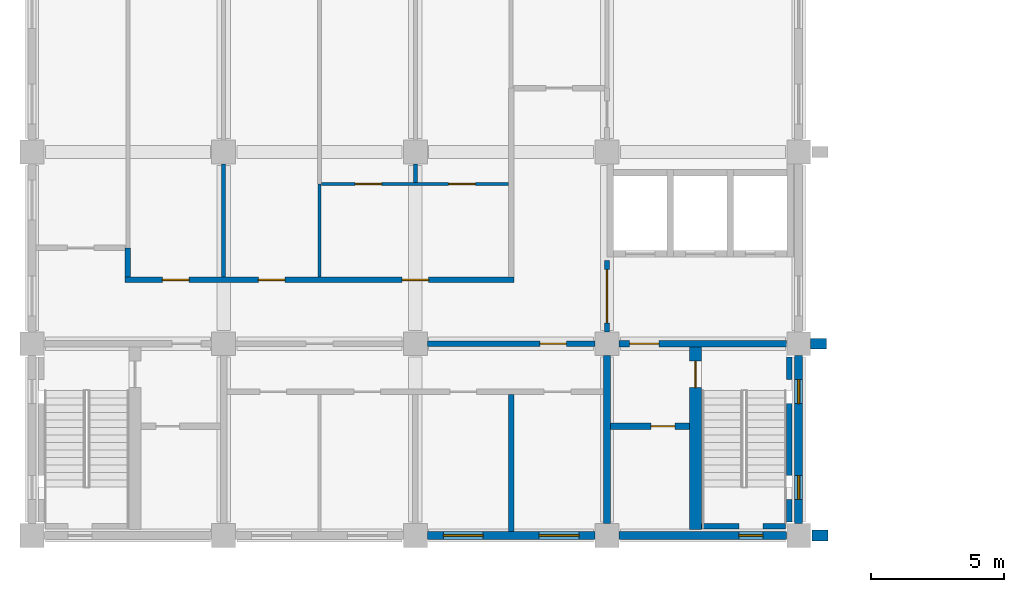
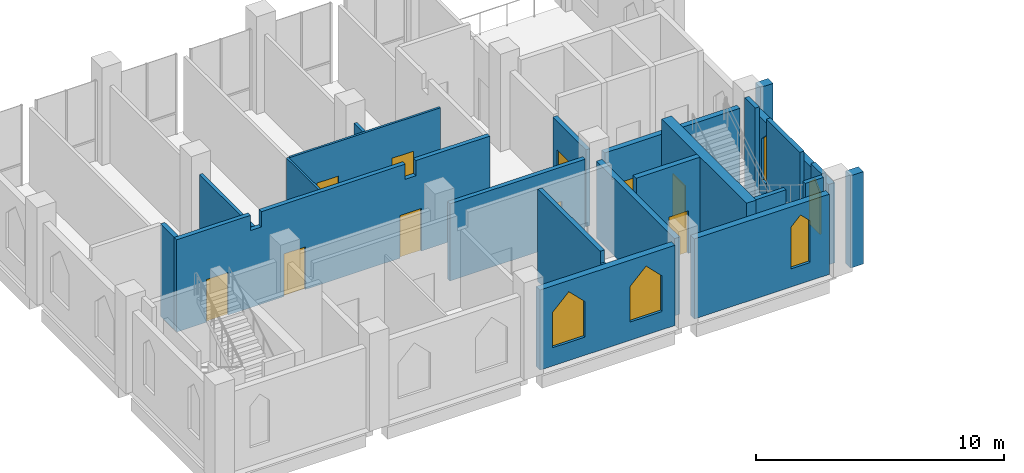
# One storey, part 28 of 40: 23 walls, 10 doors, 5 windows, 15 openings.
"""IFC4 building model written with IfcOpenShell, lengths in metres."""

from ifc_helpers import new_model, si_unit, direction, frame, frame_2d, origin, place, context, subcontext, project, spatial, polyline, rectangle, outline, extrude, material, layer, layer_set, type_object, element, fill, save


model = new_model("IFC4")

# Units and contexts
model_context = context("Model", 3, precision=1e-05, world=origin(), true_north=direction((0.0, 1.0)))
body_context = subcontext(model_context, "Body", "Model", "MODEL_VIEW")
ifc_project = project(units=[si_unit("LENGTHUNIT", "METRE"), si_unit("AREAUNIT", "SQUARE_METRE"), si_unit("VOLUMEUNIT", "CUBIC_METRE"), si_unit("PLANEANGLEUNIT", "RADIAN"), si_unit("MASSUNIT", "GRAM", prefix="KILO")], contexts=[model_context])

# Site, building, storey
site_placement = place(None, origin())
site = spatial("IfcSite", under=ifc_project, at=site_placement, CompositionType="ELEMENT")
building_placement = place(site_placement, origin())
building = spatial("IfcBuilding", under=site, at=building_placement, Name="Silangan Lancet Faculty of Sciences", CompositionType="ELEMENT")
storey_placement = place(building_placement, frame((0.0, 0.0, 16.800048828125)))
storey = spatial("IfcBuildingStorey", under=building, at=storey_placement, Name="L03", CompositionType="ELEMENT", Elevation=16.800048828125)

# Wall, openings, windows
ifc_material_1 = material(Name="Concrete C40/50 precast", Category="concrete")
ifc_layer_1 = layer(ifc_material_1, 0.300048828125)
ifc_layer_set_1 = layer_set([ifc_layer_1], Name="Concrete C40/50 precast")
wall_type_1 = type_object("IfcWallType", Name="EW1 Precast cladding wall", PredefinedType="STANDARD", material=ifc_layer_set_1)
wall_1_placement = place(storey_placement, frame((14.85009765625, 0.0, 0.0), z_axis=(0.0, 0.0, 1.0), x_axis=(1.0, 0.0, 0.0)))
wall_1 = element("IfcWall", 1, at=wall_1_placement, inside=storey, type_object=wall_type_1, Name="EW-L03-S-ST-02", PredefinedType="STANDARD", context=body_context, shape_type="SweptSolid", body=[
    extrude(rectangle(XDim=6.2998046875, YDim=0.300048828125, at=frame_2d((3.14990234375, 0.0))), origin(), (0.0, 0.0, 1.0), 3.949951171875),
])
opening_1_placement = place(wall_1_placement, frame((0.60009765625, 0.0, 0.89990234375)))
opening_1 = element("IfcOpeningElement", 2, at=opening_1_placement, cuts=wall_1, Name="Opening W12", PredefinedType="OPENING", context=body_context, shape_type="SweptSolid", body=[
    extrude(outline(polyline([(0.0, 0.0), (1.5, 0.0), (1.5, 1.75), (0.75, 2.5), (0.0, 1.75), (0.0, 0.0)])), frame((0.0, 0.159912109375, 0.0), z_axis=(0.0, -1.0, 0.0), x_axis=(1.0, 0.0, 0.0)), (0.0, 0.0, 1.0), 0.320068359375),
])
opening_2_placement = place(wall_1_placement, frame((4.199951171875, 0.0, 0.89990234375)))
opening_2 = element("IfcOpeningElement", 3, at=opening_2_placement, cuts=wall_1, Name="Opening W12", PredefinedType="OPENING", context=body_context, shape_type="SweptSolid", body=[
    extrude(outline(polyline([(0.0, 0.0), (1.5, 0.0), (1.5, 1.75), (0.75, 2.5), (0.0, 1.75), (0.0, 0.0)])), frame((0.0, 0.159912109375, 0.0), z_axis=(0.0, -1.0, 0.0), x_axis=(1.0, 0.0, 0.0)), (0.0, 0.0, 1.0), 0.320068359375),
])
ifc_material_2 = material(Name="Aluminium frame, laminated double glazing", Category="aluminium")
window_type_1 = type_object("IfcWindowType", Name="W12 Lancet window 1500 x 2500", PartitioningType="SINGLE_PANEL", PredefinedType="WINDOW", material=ifc_material_2)
window_1_placement = place(opening_1_placement, origin())
window_1 = element("IfcWindow", 4, at=window_1_placement, inside=storey, type_object=window_type_1, Name="WIN-L03-S-ST-02a", OverallHeight=2.5, OverallWidth=1.5, PartitioningType="SINGLE_PANEL", PredefinedType="WINDOW", context=body_context, shape_type="SweptSolid", body=[
    extrude(outline(polyline([(0.0, 0.0), (1.5, 0.0), (1.5, 1.75), (0.75, 2.5), (0.0, 1.75), (0.0, 0.0)])), frame((0.0, 0.030029296875, 0.0), z_axis=(0.0, -1.0, 0.0), x_axis=(1.0, 0.0, 0.0)), (0.0, 0.0, 1.0), 0.06005859375),
])
fill(opening_1, window_1)
window_2_placement = place(opening_2_placement, origin())
window_2 = element("IfcWindow", 5, at=window_2_placement, inside=storey, type_object=window_type_1, Name="WIN-L03-S-ST-02b", OverallHeight=2.5, OverallWidth=1.5, PartitioningType="SINGLE_PANEL", PredefinedType="WINDOW", context=body_context, shape_type="SweptSolid", body=[
    extrude(outline(polyline([(0.0, 0.0), (1.5, 0.0), (1.5, 1.75), (0.75, 2.5), (0.0, 1.75), (0.0, 0.0)])), frame((0.0, 0.030029296875, 0.0), z_axis=(0.0, -1.0, 0.0), x_axis=(1.0, 0.0, 0.0)), (0.0, 0.0, 1.0), 0.06005859375),
])
fill(opening_2, window_2)

# Wall, opening, window
ifc_material_3 = material(Name="Concrete C40/50 precast", Category="concrete")
ifc_layer_2 = layer(ifc_material_3, 0.300048828125)
ifc_layer_set_2 = layer_set([ifc_layer_2], Name="Concrete C40/50 precast")
wall_type_2 = type_object("IfcWallType", Name="EW2 Turret enclosure wall", PredefinedType="STANDARD", material=ifc_layer_set_2)
wall_2_placement = place(storey_placement, frame((22.050048828125, 0.0, 0.0), z_axis=(0.0, 0.0, 1.0), x_axis=(1.0, 0.0, 0.0)))
wall_2 = element("IfcWall", 6, at=wall_2_placement, inside=storey, type_object=wall_type_2, Name="EW-L03-S-ST-03", PredefinedType="STANDARD", context=body_context, shape_type="SweptSolid", body=[
    extrude(rectangle(XDim=6.300048828125, YDim=0.300048828125, at=frame_2d((3.14990234375, 0.0))), origin(), (0.0, 0.0, 1.0), 3.949951171875),
])
opening_3_placement = place(wall_2_placement, frame((4.5, 0.0, 0.89990234375)))
opening_3 = element("IfcOpeningElement", 7, at=opening_3_placement, cuts=wall_2, Name="Opening W11", PredefinedType="OPENING", context=body_context, shape_type="SweptSolid", body=[
    extrude(outline(polyline([(0.0, 0.0), (0.89990234375, 0.0), (0.89990234375, 2.050048828125), (0.449951171875, 2.5), (0.0, 2.050048828125), (0.0, 0.0)])), frame((0.0, 0.159912109375, 0.0), z_axis=(0.0, -1.0, 0.0), x_axis=(1.0, 0.0, 0.0)), (0.0, 0.0, 1.0), 0.320068359375),
])
ifc_material_4 = material(Name="Aluminium frame, laminated double glazing", Category="aluminium")
window_type_2 = type_object("IfcWindowType", Name="W11 Lancet window 900 x 2500", PartitioningType="SINGLE_PANEL", PredefinedType="WINDOW", material=ifc_material_4)
window_3_placement = place(opening_3_placement, origin())
window_3 = element("IfcWindow", 8, at=window_3_placement, inside=storey, type_object=window_type_2, Name="WIN-L03-S-ST-03b", OverallHeight=2.5, OverallWidth=0.89990234375, PartitioningType="SINGLE_PANEL", PredefinedType="WINDOW", context=body_context, shape_type="SweptSolid", body=[
    extrude(outline(polyline([(0.0, 0.0), (0.89990234375, 0.0), (0.89990234375, 2.050048828125), (0.449951171875, 2.5), (0.0, 2.050048828125), (0.0, 0.0)])), frame((0.0, 0.030029296875, 0.0), z_axis=(0.0, -1.0, 0.0), x_axis=(1.0, 0.0, 0.0)), (0.0, 0.0, 1.0), 0.06005859375),
])
fill(opening_3, window_3)

# Wall, openings, windows
wall_3_placement = place(storey_placement, frame((28.800048828125, 0.449951171875, 0.0), z_axis=(0.0, 0.0, 1.0), x_axis=(0.0, 1.0, 0.0)))
wall_3 = element("IfcWall", 9, at=wall_3_placement, inside=storey, type_object=wall_type_2, Name="EW-L03-E-ST-00", PredefinedType="STANDARD", context=body_context, shape_type="SweptSolid", body=[
    extrude(rectangle(XDim=6.300048828125, YDim=0.300048828125, at=frame_2d((3.14990234375, 0.0))), origin(), (0.0, 0.0, 1.0), 3.949951171875),
])
opening_4_placement = place(wall_3_placement, frame((0.89990234375, 0.0, 0.89990234375)))
opening_4 = element("IfcOpeningElement", 10, at=opening_4_placement, cuts=wall_3, Name="Opening W11", PredefinedType="OPENING", context=body_context, shape_type="SweptSolid", body=[
    extrude(outline(polyline([(0.0, 0.0), (0.89990234375, 0.0), (0.89990234375, 2.050048828125), (0.449951171875, 2.5), (0.0, 2.050048828125), (0.0, 0.0)])), frame((0.0, 0.159912109375, 0.0), z_axis=(0.0, -1.0, 0.0), x_axis=(1.0, 0.0, 0.0)), (0.0, 0.0, 1.0), 0.320068359375),
])
opening_5_placement = place(wall_3_placement, frame((4.5, 0.0, 0.89990234375)))
opening_5 = element("IfcOpeningElement", 11, at=opening_5_placement, cuts=wall_3, Name="Opening W11", PredefinedType="OPENING", context=body_context, shape_type="SweptSolid", body=[
    extrude(outline(polyline([(0.0, 0.0), (0.89990234375, 0.0), (0.89990234375, 2.050048828125), (0.449951171875, 2.5), (0.0, 2.050048828125), (0.0, 0.0)])), frame((0.0, 0.159912109375, 0.0), z_axis=(0.0, -1.0, 0.0), x_axis=(1.0, 0.0, 0.0)), (0.0, 0.0, 1.0), 0.320068359375),
])
window_4_placement = place(opening_4_placement, origin())
window_4 = element("IfcWindow", 12, at=window_4_placement, inside=storey, type_object=window_type_2, Name="WIN-L03-E-ST-00a", OverallHeight=2.5, OverallWidth=0.89990234375, PartitioningType="SINGLE_PANEL", PredefinedType="WINDOW", context=body_context, shape_type="SweptSolid", body=[
    extrude(outline(polyline([(0.0, 0.0), (0.89990234375, 0.0), (0.89990234375, 2.050048828125), (0.449951171875, 2.5), (0.0, 2.050048828125), (0.0, 0.0)])), frame((0.0, 0.030029296875, 0.0), z_axis=(0.0, -1.0, 0.0), x_axis=(1.0, 0.0, 0.0)), (0.0, 0.0, 1.0), 0.06005859375),
])
fill(opening_4, window_4)
window_5_placement = place(opening_5_placement, origin())
window_5 = element("IfcWindow", 13, at=window_5_placement, inside=storey, type_object=window_type_2, Name="WIN-L03-E-ST-00b", OverallHeight=2.5, OverallWidth=0.89990234375, PartitioningType="SINGLE_PANEL", PredefinedType="WINDOW", context=body_context, shape_type="SweptSolid", body=[
    extrude(outline(polyline([(0.0, 0.0), (0.89990234375, 0.0), (0.89990234375, 2.050048828125), (0.449951171875, 2.5), (0.0, 2.050048828125), (0.0, 0.0)])), frame((0.0, 0.030029296875, 0.0), z_axis=(0.0, -1.0, 0.0), x_axis=(1.0, 0.0, 0.0)), (0.0, 0.0, 1.0), 0.06005859375),
])
fill(opening_5, window_5)

# Walls
ifc_material_5 = material(Name="Concrete C40/50 precast", Category="concrete")
ifc_layer_3 = layer(ifc_material_5, 0.39990234375)
ifc_layer_set_3 = layer_set([ifc_layer_3], Name="Concrete C40/50 precast")
wall_type_3 = type_object("IfcWallType", Name="FN36 Buttress Fin column line stage 1 4550", PredefinedType="POLYGONAL", material=ifc_layer_set_3)
wall_4_placement = place(storey_placement, frame((29.300048828125, 0.0, 0.0), z_axis=(0.0, 0.0, 1.0), x_axis=(1.0, 0.0, 0.0)))
element("IfcWall", 14, at=wall_4_placement, inside=storey, type_object=wall_type_3, Name="FINC-E-ST-01", PredefinedType="POLYGONAL", context=body_context, shape_type="SweptSolid", body=[
    extrude(outline(polyline([(0.60009765625, 0.0), (0.60009765625, 4.550048828125), (0.0, 4.550048828125), (0.0, 0.0), (0.60009765625, 0.0)])), frame((0.0, 0.199951171875, 0.0), z_axis=(0.0, -1.0, 0.0), x_axis=(1.0, 0.0, 0.0)), (0.0, 0.0, 1.0), 0.39990234375),
])
ifc_material_6 = material(Name="Concrete C40/50 precast", Category="concrete")
ifc_layer_4 = layer(ifc_material_6, 0.39990234375)
ifc_layer_set_4 = layer_set([ifc_layer_4], Name="Concrete C40/50 precast")
wall_type_4 = type_object("IfcWallType", Name="FN38 Buttress Fin column line stage 1 4550", PredefinedType="POLYGONAL", material=ifc_layer_set_4)
wall_5_placement = place(storey_placement, frame((29.25, 7.199951171875, 0.0), z_axis=(0.0, 0.0, 1.0), x_axis=(1.0, 0.0, 0.0)))
element("IfcWall", 15, at=wall_5_placement, inside=storey, type_object=wall_type_4, Name="FINC-E-ST-02", PredefinedType="POLYGONAL", context=body_context, shape_type="SweptSolid", body=[
    extrude(outline(polyline([(0.60009765625, 0.0), (0.60009765625, 4.550048828125), (0.0, 4.550048828125), (0.0, 0.0), (0.60009765625, 0.0)])), frame((0.0, 0.199951171875, 0.0), z_axis=(0.0, -1.0, 0.0), x_axis=(1.0, 0.0, 0.0)), (0.0, 0.0, 1.0), 0.39990234375),
])

# Wall, opening, door
ifc_material_7 = material(Name="Hollow block masonry fm 7 MPa", Category="masonry")
ifc_layer_5 = layer(ifc_material_7, 0.199951171875)
ifc_layer_set_5 = layer_set([ifc_layer_5], Name="Hollow block masonry fm 7 MPa")
wall_type_5 = type_object("IfcWallType", Name="Interior wall PW1 Corridor wall CHB 200", PredefinedType="PARTITIONING", material=ifc_layer_set_5)
wall_6_placement = place(storey_placement, frame((14.85009765625, 7.199951171875, 0.0), z_axis=(0.0, 0.0, 1.0), x_axis=(1.0, 0.0, 0.0)))
wall_6 = element("IfcWall", 16, at=wall_6_placement, inside=storey, type_object=wall_type_5, Name="Corridor wall CHB 200", PredefinedType="PARTITIONING", context=body_context, shape_type="SweptSolid", body=[
    extrude(rectangle(XDim=6.2998046875, YDim=0.199951171875, at=frame_2d((3.14990234375, 0.0))), origin(), (0.0, 0.0, 1.0), 3.800048828125),
])
opening_6_placement = place(wall_6_placement, frame((4.224853515625, 0.0, 0.0)))
opening_6 = element("IfcOpeningElement", 17, at=opening_6_placement, cuts=wall_6, Name="Opening L03-003", PredefinedType="OPENING", context=body_context, shape_type="SweptSolid", body=[
    extrude(rectangle(XDim=1.0, YDim=2.10009765625, at=frame_2d((0.5, 1.050048828125))), frame((0.0, 0.10986328125, 0.0), z_axis=(0.0, -1.0, 0.0), x_axis=(1.0, 0.0, 0.0)), (0.0, 0.0, 1.0), 0.219970703125),
])
ifc_material_8 = material(Name="Steel fire door set", Category="steel")
door_type_1 = type_object("IfcDoorType", Name="Door D1 Single leaf fire door 1000 x 2100", OperationType="SINGLE_SWING_LEFT", PredefinedType="DOOR", material=ifc_material_8)
door_1_placement = place(opening_6_placement, frame((1.0, 0.0, 0.0), z_axis=(0.0, 0.0, 1.0), x_axis=(-1.0, 0.0, 0.0)))
door_1 = element("IfcDoor", 18, at=door_1_placement, inside=storey, type_object=door_type_1, Name="Single leaf fire door 1000 x 2100", OperationType="SINGLE_SWING_LEFT", OverallHeight=2.10009765625, OverallWidth=1.0, PredefinedType="DOOR", context=body_context, shape_type="SweptSolid", body=[
    extrude(rectangle(XDim=1.0, YDim=2.10009765625, at=frame_2d((0.5, 1.050048828125))), frame((0.0, 0.025146484375, 0.0), z_axis=(0.0, -1.0, 0.0), x_axis=(1.0, 0.0, 0.0)), (0.0, 0.0, 1.0), 0.050048828125),
])
fill(opening_6, door_1)

# Wall, openings, doors
wall_7_placement = place(storey_placement, frame((3.5, 9.60009765625, 0.0), z_axis=(0.0, 0.0, 1.0), x_axis=(1.0, 0.0, 0.0)))
wall_7 = element("IfcWall", 19, at=wall_7_placement, inside=storey, type_object=wall_type_5, Name="Corridor wall CHB 200", PredefinedType="PARTITIONING", context=body_context, shape_type="SweptSolid", body=[
    extrude(outline(polyline([(0.0, 0.0), (14.60009765625, 0.0), (14.60009765625, 4.550048828125), (11.14990234375, 4.550048828125), (11.14990234375, 3.800048828125), (10.64990234375, 3.800048828125), (10.64990234375, 4.550048828125), (3.949951171875, 4.550048828125), (3.949951171875, 3.800048828125), (3.449951171875, 3.800048828125), (3.449951171875, 4.550048828125), (0.0, 4.550048828125), (0.0, 0.0)])), frame((0.0, 0.10009765625, 0.0), z_axis=(0.0, -1.0, 0.0), x_axis=(1.0, 0.0, 0.0)), (0.0, 0.0, 1.0), 0.199951171875),
])
opening_7_placement = place(wall_7_placement, frame((1.39990234375, 0.0, 0.0)))
opening_7 = element("IfcOpeningElement", 20, at=opening_7_placement, cuts=wall_7, Name="Opening L03-016", PredefinedType="OPENING", context=body_context, shape_type="SweptSolid", body=[
    extrude(rectangle(XDim=1.0, YDim=2.10009765625, at=frame_2d((0.5, 1.050048828125))), frame((0.0, 0.10986328125, 0.0), z_axis=(0.0, -1.0, 0.0), x_axis=(1.0, 0.0, 0.0)), (0.0, 0.0, 1.0), 0.219970703125),
])
opening_8_placement = place(wall_7_placement, frame((5.0, 0.0, 0.0)))
opening_8 = element("IfcOpeningElement", 21, at=opening_8_placement, cuts=wall_7, Name="Opening L03-017", PredefinedType="OPENING", context=body_context, shape_type="SweptSolid", body=[
    extrude(rectangle(XDim=1.0, YDim=2.10009765625, at=frame_2d((0.5, 1.050048828125))), frame((0.0, 0.10986328125, 0.0), z_axis=(0.0, -1.0, 0.0), x_axis=(1.0, 0.0, 0.0)), (0.0, 0.0, 1.0), 0.219970703125),
])
opening_9_placement = place(wall_7_placement, frame((10.39990234375, 0.0, 0.0)))
opening_9 = element("IfcOpeningElement", 22, at=opening_9_placement, cuts=wall_7, Name="Opening L03-018", PredefinedType="OPENING", context=body_context, shape_type="SweptSolid", body=[
    extrude(rectangle(XDim=1.0, YDim=2.10009765625, at=frame_2d((0.5, 1.050048828125))), frame((0.0, 0.10986328125, 0.0), z_axis=(0.0, -1.0, 0.0), x_axis=(1.0, 0.0, 0.0)), (0.0, 0.0, 1.0), 0.219970703125),
])
door_2_placement = place(opening_7_placement, origin())
door_2 = element("IfcDoor", 23, at=door_2_placement, inside=storey, type_object=door_type_1, Name="Single leaf fire door 1000 x 2100", OperationType="SINGLE_SWING_LEFT", OverallHeight=2.10009765625, OverallWidth=1.0, PredefinedType="DOOR", context=body_context, shape_type="SweptSolid", body=[
    extrude(rectangle(XDim=1.0, YDim=2.10009765625, at=frame_2d((0.5, 1.050048828125))), frame((0.0, 0.02490234375, 0.0), z_axis=(0.0, -1.0, 0.0), x_axis=(1.0, 0.0, 0.0)), (0.0, 0.0, 1.0), 0.050048828125),
])
fill(opening_7, door_2)
door_3_placement = place(opening_8_placement, origin())
door_3 = element("IfcDoor", 24, at=door_3_placement, inside=storey, type_object=door_type_1, Name="Single leaf fire door 1000 x 2100", OperationType="SINGLE_SWING_RIGHT", OverallHeight=2.10009765625, OverallWidth=1.0, PredefinedType="DOOR", context=body_context, shape_type="SweptSolid", body=[
    extrude(rectangle(XDim=1.0, YDim=2.10009765625, at=frame_2d((0.5, 1.050048828125))), frame((0.0, 0.02490234375, 0.0), z_axis=(0.0, -1.0, 0.0), x_axis=(1.0, 0.0, 0.0)), (0.0, 0.0, 1.0), 0.050048828125),
])
fill(opening_8, door_3)
door_4_placement = place(opening_9_placement, origin())
door_4 = element("IfcDoor", 25, at=door_4_placement, inside=storey, type_object=door_type_1, Name="Single leaf fire door 1000 x 2100", OperationType="SINGLE_SWING_LEFT", OverallHeight=2.10009765625, OverallWidth=1.0, PredefinedType="DOOR", context=body_context, shape_type="SweptSolid", body=[
    extrude(rectangle(XDim=1.0, YDim=2.10009765625, at=frame_2d((0.5, 1.050048828125))), frame((0.0, 0.02490234375, 0.0), z_axis=(0.0, -1.0, 0.0), x_axis=(1.0, 0.0, 0.0)), (0.0, 0.0, 1.0), 0.050048828125),
])
fill(opening_9, door_4)

# Wall
wall_8_placement = place(storey_placement, frame((3.60009765625, 9.699951171875, 0.0), z_axis=(0.0, 0.0, 1.0), x_axis=(0.0, 1.0, 0.0)))
element("IfcWall", 26, at=wall_8_placement, inside=storey, type_object=wall_type_5, Name="Corridor wall CHB 200", PredefinedType="PARTITIONING", context=body_context, shape_type="SweptSolid", body=[
    extrude(rectangle(XDim=1.10009765625, YDim=0.199951171875, at=frame_2d((0.550048828125, 0.0))), origin(), (0.0, 0.0, 1.0), 4.550048828125),
])

# Wall, openings, doors
ifc_material_9 = material(Name="Gypsum board on metal studs")
ifc_layer_6 = layer(ifc_material_9, 0.10009765625)
ifc_layer_set_6 = layer_set([ifc_layer_6], Name="Gypsum board on metal studs")
wall_type_6 = type_object("IfcWallType", Name="Interior wall PW2 Office partition drywall 100", PredefinedType="PARTITIONING", material=ifc_layer_set_6)
wall_9_placement = place(storey_placement, frame((10.875, 13.199951171875, 0.0), z_axis=(0.0, 0.0, 1.0), x_axis=(1.0, 0.0, 0.0)))
wall_9 = element("IfcWall", 27, at=wall_9_placement, inside=storey, type_object=wall_type_6, Name="Office partition drywall 100", PredefinedType="PARTITIONING", context=body_context, shape_type="SweptSolid", body=[
    extrude(rectangle(XDim=7.02490234375, YDim=0.10009765625, at=frame_2d((3.512451171875, 0.0))), origin(), (0.0, 0.0, 1.0), 3.800048828125),
])
opening_10_placement = place(wall_9_placement, frame((1.262451171875, 0.0, 0.0)))
opening_10 = element("IfcOpeningElement", 28, at=opening_10_placement, cuts=wall_9, Name="Opening L03-019", PredefinedType="OPENING", context=body_context, shape_type="SweptSolid", body=[
    extrude(rectangle(XDim=1.0, YDim=2.10009765625, at=frame_2d((0.5, 1.050048828125))), frame((0.0, 0.06005859375, 0.0), z_axis=(0.0, -1.0, 0.0), x_axis=(1.0, 0.0, 0.0)), (0.0, 0.0, 1.0), 0.1201171875),
])
opening_11_placement = place(wall_9_placement, frame((4.77490234375, 0.0, 0.0)))
opening_11 = element("IfcOpeningElement", 29, at=opening_11_placement, cuts=wall_9, Name="Opening L03-020", PredefinedType="OPENING", context=body_context, shape_type="SweptSolid", body=[
    extrude(rectangle(XDim=1.0, YDim=2.10009765625, at=frame_2d((0.5, 1.050048828125))), frame((0.0, 0.06005859375, 0.0), z_axis=(0.0, -1.0, 0.0), x_axis=(1.0, 0.0, 0.0)), (0.0, 0.0, 1.0), 0.1201171875),
])
ifc_material_10 = material(Name="Timber door leaf", Category="wood")
door_type_2 = type_object("IfcDoorType", Name="Door D2 Single leaf door 1000 x 2100", OperationType="SINGLE_SWING_LEFT", PredefinedType="DOOR", material=ifc_material_10)
door_5_placement = place(opening_10_placement, origin())
door_5 = element("IfcDoor", 30, at=door_5_placement, inside=storey, type_object=door_type_2, Name="Single leaf door 1000 x 2100", OperationType="SINGLE_SWING_RIGHT", OverallHeight=2.10009765625, OverallWidth=1.0, PredefinedType="DOOR", context=body_context, shape_type="SweptSolid", body=[
    extrude(rectangle(XDim=1.0, YDim=2.10009765625, at=frame_2d((0.5, 1.050048828125))), frame((0.0, 0.02490234375, 0.0), z_axis=(0.0, -1.0, 0.0), x_axis=(1.0, 0.0, 0.0)), (0.0, 0.0, 1.0), 0.050048828125),
])
fill(opening_10, door_5)
door_6_placement = place(opening_11_placement, origin())
door_6 = element("IfcDoor", 31, at=door_6_placement, inside=storey, type_object=door_type_2, Name="Single leaf door 1000 x 2100", OperationType="SINGLE_SWING_LEFT", OverallHeight=2.10009765625, OverallWidth=1.0, PredefinedType="DOOR", context=body_context, shape_type="SweptSolid", body=[
    extrude(rectangle(XDim=1.0, YDim=2.10009765625, at=frame_2d((0.5, 1.050048828125))), frame((0.0, 0.02490234375, 0.0), z_axis=(0.0, -1.0, 0.0), x_axis=(1.0, 0.0, 0.0)), (0.0, 0.0, 1.0), 0.050048828125),
])
fill(opening_11, door_6)

# Walls
wall_10_placement = place(storey_placement, frame((10.800048828125, 9.699951171875, 0.0), z_axis=(0.0, 0.0, 1.0), x_axis=(0.0, 1.0, 0.0)))
element("IfcWall", 32, at=wall_10_placement, inside=storey, type_object=wall_type_6, Name="Office partition drywall 100", PredefinedType="PARTITIONING", context=body_context, shape_type="SweptSolid", body=[
    extrude(rectangle(XDim=3.5, YDim=0.10009765625, at=frame_2d((1.75, 0.0))), origin(), (0.0, 0.0, 1.0), 3.800048828125),
])
ifc_material_11 = material(Name="Hollow block masonry fm 7 MPa", Category="masonry")
ifc_layer_7 = layer(ifc_material_11, 0.14990234375)
ifc_layer_set_7 = layer_set([ifc_layer_7], Name="Hollow block masonry fm 7 MPa")
wall_type_7 = type_object("IfcWallType", Name="Interior wall PW3 Partition CHB 150", PredefinedType="PARTITIONING", material=ifc_layer_set_7)
wall_11_placement = place(storey_placement, frame((7.199951171875, 9.699951171875, 0.0), z_axis=(0.0, 0.0, 1.0), x_axis=(0.0, 1.0, 0.0)))
element("IfcWall", 33, at=wall_11_placement, inside=storey, type_object=wall_type_7, Name="Partition CHB 150", PredefinedType="PARTITIONING", context=body_context, shape_type="SweptSolid", body=[
    extrude(rectangle(XDim=4.25, YDim=0.14990234375, at=frame_2d((2.125, 0.0))), origin(), (0.0, 0.0, 1.0), 3.800048828125),
])
wall_12_placement = place(storey_placement, frame((14.39990234375, 13.25, 0.0), z_axis=(0.0, 0.0, 1.0), x_axis=(0.0, 1.0, 0.0)))
element("IfcWall", 34, at=wall_12_placement, inside=storey, type_object=wall_type_7, Name="Partition CHB 150", PredefinedType="PARTITIONING", context=body_context, shape_type="SweptSolid", body=[
    extrude(rectangle(XDim=0.699951171875, YDim=0.14990234375, at=frame_2d((0.35009765625, 0.0))), origin(), (0.0, 0.0, 1.0), 3.800048828125),
])
ifc_material_12 = material(Name="Hollow block masonry fm 7 MPa", Category="masonry")
ifc_layer_8 = layer(ifc_material_12, 0.199951171875)
ifc_layer_set_8 = layer_set([ifc_layer_8], Name="Hollow block masonry fm 7 MPa")
wall_type_8 = type_object("IfcWallType", Name="Interior wall PW4 Laboratory separation CHB 200", PredefinedType="PARTITIONING", material=ifc_layer_set_8)
wall_13_placement = place(storey_placement, frame((18.0, 0.14990234375, 0.0), z_axis=(0.0, 0.0, 1.0), x_axis=(0.0, 1.0, 0.0)))
element("IfcWall", 35, at=wall_13_placement, inside=storey, type_object=wall_type_8, Name="Laboratory separation CHB 200", PredefinedType="PARTITIONING", context=body_context, shape_type="SweptSolid", body=[
    extrude(outline(polyline([(0.0, 0.0), (5.150146484375, 0.0), (5.150146484375, 4.550048828125), (0.10009765625, 4.550048828125), (0.10009765625, 3.949951171875), (0.0, 3.949951171875), (0.0, 0.0)])), frame((0.0, 0.10009765625, 0.0), z_axis=(0.0, -1.0, 0.0), x_axis=(1.0, 0.0, 0.0)), (0.0, 0.0, 1.0), 0.199951171875),
])

# Wall, opening, door
ifc_material_13 = material(Name="Hollow block masonry fm 7 MPa", Category="masonry")
ifc_layer_9 = layer(ifc_material_13, 0.199951171875)
ifc_layer_set_9 = layer_set([ifc_layer_9], Name="Hollow block masonry fm 7 MPa")
wall_type_9 = type_object("IfcWallType", Name="Interior wall PW9 Lift lobby wall CHB 200", PredefinedType="PARTITIONING", material=ifc_layer_set_9)
wall_14_placement = place(storey_placement, frame((21.60009765625, 7.64990234375, 0.0), z_axis=(0.0, 0.0, 1.0), x_axis=(0.0, 1.0, 0.0)))
wall_14 = element("IfcWall", 36, at=wall_14_placement, inside=storey, type_object=wall_type_9, Name="Lift lobby wall CHB 200", PredefinedType="PARTITIONING", context=body_context, shape_type="SweptSolid", body=[
    extrude(rectangle(XDim=2.675048828125, YDim=0.199951171875, at=frame_2d((1.33740234375, 0.0))), origin(), (0.0, 0.0, 1.0), 3.800048828125),
])
opening_12_placement = place(wall_14_placement, frame((0.33740234375, 0.0, 0.0)))
opening_12 = element("IfcOpeningElement", 37, at=opening_12_placement, cuts=wall_14, Name="Opening L03-001", PredefinedType="OPENING", context=body_context, shape_type="SweptSolid", body=[
    extrude(rectangle(XDim=2.0, YDim=2.39990234375, at=frame_2d((1.0, 1.199951171875))), frame((0.0, 0.10986328125, 0.0), z_axis=(0.0, -1.0, 0.0), x_axis=(1.0, 0.0, 0.0)), (0.0, 0.0, 1.0), 0.219970703125),
])
ifc_material_14 = material(Name="Steel fire door set", Category="steel")
door_type_3 = type_object("IfcDoorType", Name="Door D5 Lift lobby double fire door 2000 x 2400", OperationType="DOUBLE_DOOR_SINGLE_SWING", PredefinedType="DOOR", material=ifc_material_14)
door_7_placement = place(opening_12_placement, origin())
door_7 = element("IfcDoor", 38, at=door_7_placement, inside=storey, type_object=door_type_3, Name="Lift lobby double fire door 2000 x 2400", OperationType="DOUBLE_DOOR_SINGLE_SWING", OverallHeight=2.39990234375, OverallWidth=2.0, PredefinedType="DOOR", context=body_context, shape_type="SweptSolid", body=[
    extrude(rectangle(XDim=2.0, YDim=2.39990234375, at=frame_2d((1.0, 1.199951171875))), frame((0.0, 0.02490234375, 0.0), z_axis=(0.0, -1.0, 0.0), x_axis=(1.0, 0.0, 0.0)), (0.0, 0.0, 1.0), 0.050048828125),
])
fill(opening_12, door_7)

ifc_material_15 = material(Name="Concrete C40/50", Category="concrete")
ifc_layer_10 = layer(ifc_material_15, 0.449951171875)
ifc_layer_set_10 = layer_set([ifc_layer_10], Name="Concrete C40/50")
wall_type_10 = type_object("IfcWallType", Name="TURRET CORE WALL RC 450", PredefinedType="SHEAR", material=ifc_layer_set_10)
wall_15_placement = place(storey_placement, frame((24.925048828125, 0.22509765625, 0.0), z_axis=(0.0, 0.0, 1.0), x_axis=(0.0, 1.0, 0.0)))
wall_15 = element("IfcWall", 39, at=wall_15_placement, inside=storey, type_object=wall_type_10, Name="WALL-L03-ST-B-WELL", PredefinedType="SHEAR", context=body_context, shape_type="SweptSolid", body=[
    extrude(rectangle(XDim=6.849853515625, YDim=0.449951171875, at=frame_2d((3.4248046875, 0.0))), origin(), (0.0, 0.0, 1.0), 4.550048828125),
])
opening_13_placement = place(wall_15_placement, frame((5.324951171875, 0.0, 0.0)))
opening_13 = element("IfcOpeningElement", 40, at=opening_13_placement, cuts=wall_15, Name="Opening L03-716", PredefinedType="OPENING", context=body_context, shape_type="SweptSolid", body=[
    extrude(rectangle(XDim=1.0, YDim=2.10009765625, at=frame_2d((0.5, 1.050048828125))), frame((0.0, 0.23486328125, 0.0), z_axis=(0.0, -1.0, 0.0), x_axis=(1.0, 0.0, 0.0)), (0.0, 0.0, 1.0), 0.469970703125),
])
ifc_material_16 = material(Name="Steel fire door set", Category="steel")
door_type_4 = type_object("IfcDoorType", Name="D71 Stair enclosure door 1000x2100", OperationType="SINGLE_SWING_LEFT", PredefinedType="DOOR", material=ifc_material_16)
door_8_placement = place(opening_13_placement, frame((1.0, 0.0, 0.0), z_axis=(0.0, 0.0, 1.0), x_axis=(-1.0, 0.0, 0.0)))
door_8 = element("IfcDoor", 41, at=door_8_placement, inside=storey, type_object=door_type_4, Name="Stair enclosure door ST-B L03", OperationType="SINGLE_SWING_LEFT", OverallHeight=2.10009765625, OverallWidth=1.0, PredefinedType="DOOR", context=body_context, shape_type="SweptSolid", body=[
    extrude(rectangle(XDim=1.0, YDim=2.10009765625, at=frame_2d((0.5, 1.050048828125))), frame((0.0, 0.025146484375, 0.0), z_axis=(0.0, -1.0, 0.0), x_axis=(1.0, 0.0, 0.0)), (0.0, 0.0, 1.0), 0.050048828125),
])
fill(opening_13, door_8)

# Walls
ifc_material_17 = material(Name="Concrete C40/50", Category="concrete")
ifc_layer_11 = layer(ifc_material_17, 0.199951171875)
ifc_layer_set_11 = layer_set([ifc_layer_11], Name="Concrete C40/50")
wall_type_11 = type_object("IfcWallType", Name="TURRET LINING WALL RC 200", PredefinedType="SHEAR", material=ifc_layer_set_11)
wall_16_placement = place(storey_placement, frame((28.449951171875, 0.5, -0.25), z_axis=(0.0, 0.0, 1.0), x_axis=(0.0, 1.0, 0.0)))
element("IfcWall", 42, at=wall_16_placement, inside=storey, type_object=wall_type_11, Name="WALL-L03-ST-B-WL", PredefinedType="SHEAR", context=body_context, shape_type="SweptSolid", body=[
    extrude(rectangle(XDim=0.85009765625, YDim=0.199951171875, at=frame_2d((0.425048828125, 0.0))), origin(), (0.0, 0.0, 1.0), 4.800048828125),
])
wall_17_placement = place(storey_placement, frame((28.449951171875, 2.25, -0.25), z_axis=(0.0, 0.0, 1.0), x_axis=(0.0, 1.0, 0.0)))
element("IfcWall", 43, at=wall_17_placement, inside=storey, type_object=wall_type_11, Name="WALL-L03-ST-B-WL-2", PredefinedType="SHEAR", context=body_context, shape_type="SweptSolid", body=[
    extrude(rectangle(XDim=2.699951171875, YDim=0.199951171875, at=frame_2d((1.35009765625, 0.0))), origin(), (0.0, 0.0, 1.0), 4.800048828125),
])
wall_18_placement = place(storey_placement, frame((28.449951171875, 5.85009765625, -0.25), z_axis=(0.0, 0.0, 1.0), x_axis=(0.0, 1.0, 0.0)))
element("IfcWall", 44, at=wall_18_placement, inside=storey, type_object=wall_type_11, Name="WALL-L03-ST-B-WL-3", PredefinedType="SHEAR", context=body_context, shape_type="SweptSolid", body=[
    extrude(rectangle(XDim=0.849853515625, YDim=0.199951171875, at=frame_2d((0.4248046875, 0.0))), origin(), (0.0, 0.0, 1.0), 4.800048828125),
])
wall_19_placement = place(storey_placement, frame((25.14990234375, 0.35009765625, -0.25), z_axis=(0.0, 0.0, 1.0), x_axis=(1.0, 0.0, 0.0)))
element("IfcWall", 45, at=wall_19_placement, inside=storey, type_object=wall_type_11, Name="WALL-L03-ST-B-WLD", PredefinedType="SHEAR", context=body_context, shape_type="SweptSolid", body=[
    extrude(rectangle(XDim=1.400146484375, YDim=0.199951171875, at=frame_2d((0.7001953125, 0.0))), origin(), (0.0, 0.0, 1.0), 4.800048828125),
])
wall_20_placement = place(storey_placement, frame((27.449951171875, 0.35009765625, -0.25), z_axis=(0.0, 0.0, 1.0), x_axis=(1.0, 0.0, 0.0)))
element("IfcWall", 46, at=wall_20_placement, inside=storey, type_object=wall_type_11, Name="WALL-L03-ST-B-WLD-2", PredefinedType="SHEAR", context=body_context, shape_type="SweptSolid", body=[
    extrude(rectangle(XDim=0.85009765625, YDim=0.199951171875, at=frame_2d((0.425048828125, 0.0))), origin(), (0.0, 0.0, 1.0), 4.800048828125),
])

# Wall, opening, door
ifc_material_18 = material(Name="Concrete C40/50", Category="concrete")
ifc_layer_12 = layer(ifc_material_18, 0.25)
ifc_layer_set_12 = layer_set([ifc_layer_12], Name="Concrete C40/50")
wall_type_12 = type_object("IfcWallType", Name="TURRET WALL RC 250", PredefinedType="SHEAR", material=ifc_layer_set_12)
wall_21_placement = place(storey_placement, frame((22.050048828125, 7.199951171875, 0.0), z_axis=(0.0, 0.0, 1.0), x_axis=(1.0, 0.0, 0.0)))
wall_21 = element("IfcWall", 47, at=wall_21_placement, inside=storey, type_object=wall_type_12, Name="WALL-L03-ST-B-V", PredefinedType="SHEAR", context=body_context, shape_type="SweptSolid", body=[
    extrude(rectangle(XDim=6.300048828125, YDim=0.25, at=frame_2d((3.14990234375, 0.0))), origin(), (0.0, 0.0, 1.0), 3.800048828125),
])
opening_14_placement = place(wall_21_placement, frame((0.39990234375, 0.0, 0.0)))
opening_14 = element("IfcOpeningElement", 48, at=opening_14_placement, cuts=wall_21, Name="Opening L03-717", PredefinedType="OPENING", context=body_context, shape_type="SweptSolid", body=[
    extrude(rectangle(XDim=1.10009765625, YDim=2.10009765625, at=frame_2d((0.550048828125, 1.050048828125))), frame((0.0, 0.135009765625, 0.0), z_axis=(0.0, -1.0, 0.0), x_axis=(1.0, 0.0, 0.0)), (0.0, 0.0, 1.0), 0.27001953125),
])
ifc_material_19 = material(Name="Steel fire door set", Category="steel")
door_type_5 = type_object("IfcDoorType", Name="D70 Stair vestibule door 1100x2100", OperationType="SINGLE_SWING_LEFT", PredefinedType="DOOR", material=ifc_material_19)
door_9_placement = place(opening_14_placement, frame((1.10009765625, 0.0, 0.0), z_axis=(0.0, 0.0, 1.0), x_axis=(-1.0, 0.0, 0.0)))
door_9 = element("IfcDoor", 49, at=door_9_placement, inside=storey, type_object=door_type_5, Name="Stair vestibule door ST-B L03", OperationType="SINGLE_SWING_RIGHT", OverallHeight=2.10009765625, OverallWidth=1.10009765625, PredefinedType="DOOR", context=body_context, shape_type="SweptSolid", body=[
    extrude(rectangle(XDim=1.10009765625, YDim=2.10009765625, at=frame_2d((0.550048828125, 1.050048828125))), frame((0.0, 0.025146484375, 0.0), z_axis=(0.0, -1.0, 0.0), x_axis=(1.0, 0.0, 0.0)), (0.0, 0.0, 1.0), 0.050048828125),
])
fill(opening_14, door_9)

# Wall
wall_22_placement = place(storey_placement, frame((21.60009765625, 0.449951171875, 0.0), z_axis=(0.0, 0.0, 1.0), x_axis=(0.0, 1.0, 0.0)))
element("IfcWall", 50, at=wall_22_placement, inside=storey, type_object=wall_type_12, Name="WALL-L03-ST-B-O", PredefinedType="SHEAR", context=body_context, shape_type="SweptSolid", body=[
    extrude(rectangle(XDim=6.300048828125, YDim=0.25, at=frame_2d((3.14990234375, 0.0))), origin(), (0.0, 0.0, 1.0), 3.800048828125),
])

# Wall, opening, door
wall_23_placement = place(storey_placement, frame((21.72509765625, 4.10009765625, 0.0), z_axis=(0.0, 0.0, 1.0), x_axis=(1.0, 0.0, 0.0)))
wall_23 = element("IfcWall", 51, at=wall_23_placement, inside=storey, type_object=wall_type_12, Name="WALL-L03-ST-B-RISER", PredefinedType="SHEAR", context=body_context, shape_type="SweptSolid", body=[
    extrude(rectangle(XDim=2.974853515625, YDim=0.25, at=frame_2d((1.4873046875, 0.0))), origin(), (0.0, 0.0, 1.0), 4.550048828125),
])
opening_15_placement = place(wall_23_placement, frame((1.52490234375, 0.0, 0.0)))
opening_15 = element("IfcOpeningElement", 52, at=opening_15_placement, cuts=wall_23, Name="Opening L03-718", PredefinedType="OPENING", context=body_context, shape_type="SweptSolid", body=[
    extrude(rectangle(XDim=0.89990234375, YDim=2.10009765625, at=frame_2d((0.449951171875, 1.050048828125))), frame((0.0, 0.135009765625, 0.0), z_axis=(0.0, -1.0, 0.0), x_axis=(1.0, 0.0, 0.0)), (0.0, 0.0, 1.0), 0.27001953125),
])
ifc_material_20 = material(Name="Steel fire door set", Category="steel")
door_type_6 = type_object("IfcDoorType", Name="D72 Riser access door 900x2100", OperationType="SINGLE_SWING_LEFT", PredefinedType="DOOR", material=ifc_material_20)
door_10_placement = place(opening_15_placement, frame((0.89990234375, 0.0, 0.0), z_axis=(0.0, 0.0, 1.0), x_axis=(-1.0, 0.0, 0.0)))
door_10 = element("IfcDoor", 53, at=door_10_placement, inside=storey, type_object=door_type_6, Name="Riser access door ST-B L03", OperationType="SINGLE_SWING_RIGHT", OverallHeight=2.10009765625, OverallWidth=0.89990234375, PredefinedType="DOOR", context=body_context, shape_type="SweptSolid", body=[
    extrude(rectangle(XDim=0.89990234375, YDim=2.10009765625, at=frame_2d((0.449951171875, 1.050048828125))), frame((0.0, 0.025146484375, 0.0), z_axis=(0.0, -1.0, 0.0), x_axis=(1.0, 0.0, 0.0)), (0.0, 0.0, 1.0), 0.050048828125),
])
fill(opening_15, door_10)

save(model, "model.ifc")
